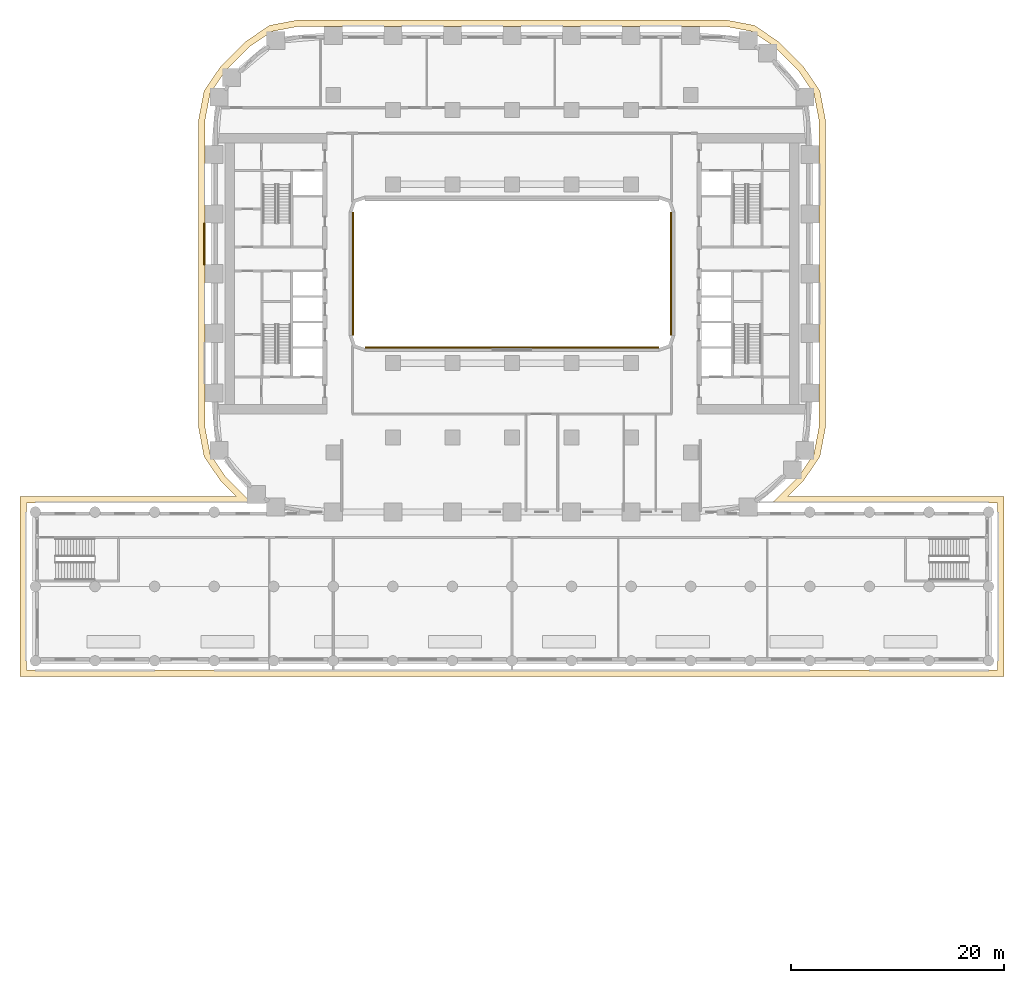
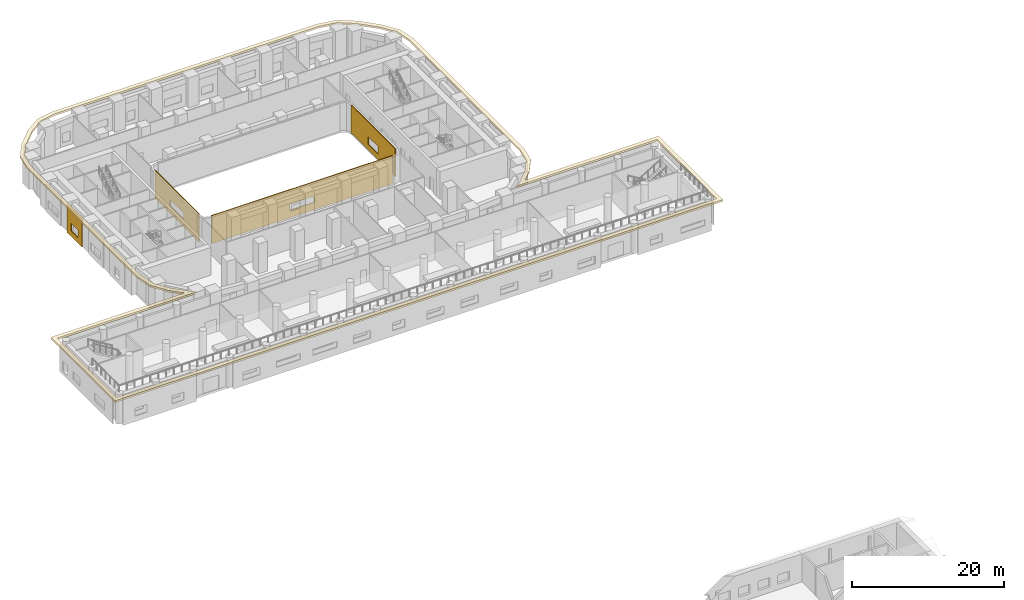
# One storey, part 30 of 35: 5 coverings.
"""IFC4 building model written with IfcOpenShell, lengths in metres."""

import ifcopenshell
import ifcopenshell.guid

model = None  # the IFC model being written
_history = None  # IfcOwnerHistory: only IFC2X3 demands one
_inside = {}  # id of a spatial element -> (the spatial element, [elements in it])
_under = {}  # id of a project, library or spatial element -> (it, [spatial elements below it])
_declared = {}  # id of a project -> (the project, [libraries it declares])
_typed = {}  # id of a type object -> (the type object, [elements of that type])
_made_of = {}  # id of a material, layer set ... -> (it, [elements and type objects made of it])


def new_model(schema):
    """Start an empty IFC model of exactly this schema.

    Asked for "IFC4X3", IfcOpenShell would pick the latest addendum, in which some entities
    have other attributes; the version numbers below select the first issue.
    IFC2X3 requires an IfcOwnerHistory on every rooted entity: one is made here for all.
    """
    global model, _history
    if schema == "IFC4X3":
        model = ifcopenshell.file(schema_version=(4, 3, 0, 0))
    else:
        model = ifcopenshell.file(schema=schema)
    _inside.clear()
    _under.clear()
    _declared.clear()
    _typed.clear()
    _made_of.clear()
    _history = None
    if model.schema == "IFC2X3":
        org = make("IfcOrganization", Name="unknown")
        user = make(
            "IfcPersonAndOrganization",
            ThePerson=make("IfcPerson", FamilyName="unknown"),
            TheOrganization=org,
        )
        app = make(
            "IfcApplication",
            ApplicationDeveloper=org,
            Version="unknown",
            ApplicationFullName="unknown",
            ApplicationIdentifier="unknown",
        )
        _history = make(
            "IfcOwnerHistory",
            OwningUser=user,
            OwningApplication=app,
            ChangeAction="ADDED",
            CreationDate=0,
        )
    return model


def make(cls, **values):
    """One entity of the class cls with the attributes given. An attribute that is None is left unset."""
    return model.create_entity(
        cls, **{name: value for name, value in values.items() if value is not None}
    )


def rooted(cls, **values):
    """An entity with a GlobalId (a new one), such as an element, a storey or a relation."""
    return make(cls, GlobalId=ifcopenshell.guid.new(), OwnerHistory=_history, **values)


def si_unit(unit_type, name, prefix=None):
    """IfcSIUnit, for example si_unit("LENGTHUNIT", "METRE", prefix="MILLI")."""
    return make("IfcSIUnit", UnitType=unit_type, Prefix=prefix, Name=name)


def assignment(units):
    """IfcUnitAssignment: the units of a project."""
    return None if units is None else make("IfcUnitAssignment", Units=units)


def point(xyz):
    """IfcCartesianPoint."""
    return None if xyz is None else make("IfcCartesianPoint", Coordinates=xyz)


def direction(xyz):
    """IfcDirection."""
    return None if xyz is None else make("IfcDirection", DirectionRatios=xyz)


def frame(location, z_axis=None, x_axis=None):
    """IfcAxis2Placement3D, a coordinate frame: its origin and axes. An axis left out is left unset."""
    return make(
        "IfcAxis2Placement3D",
        Location=point(location),
        Axis=direction(z_axis),
        RefDirection=direction(x_axis),
    )


def origin():
    """The frame at (0, 0, 0) with its axes left unset."""
    return frame((0.0, 0.0, 0.0))


def place(relative_to, where):
    """IfcLocalPlacement: puts the frame where relative to a parent placement (None: the world)."""
    return make(
        "IfcLocalPlacement", PlacementRelTo=relative_to, RelativePlacement=where
    )


def context(
    kind, dimensions, precision=None, world=None, true_north=None, identifier=None
):
    """IfcGeometricRepresentationContext, for example the 3D "Model" context."""
    return make(
        "IfcGeometricRepresentationContext",
        ContextIdentifier=identifier,
        ContextType=kind,
        CoordinateSpaceDimension=dimensions,
        Precision=precision,
        WorldCoordinateSystem=world,
        TrueNorth=true_north,
    )


def subcontext(parent, identifier, kind, view, scale=None):
    """IfcGeometricRepresentationSubContext, for example "Body" below "Model"."""
    return make(
        "IfcGeometricRepresentationSubContext",
        ContextIdentifier=identifier,
        ContextType=kind,
        ParentContext=parent,
        TargetScale=scale,
        TargetView=view,
    )


def project(units=None, contexts=None):
    """IfcProject with its units and contexts."""
    return rooted(
        "IfcProject",
        Name="project",
        RepresentationContexts=contexts,
        UnitsInContext=assignment(units),
    )


def spatial(cls, under=None, at=None, **own):
    """A site, building, storey or space (cls), placed at a placement, below another one or the project."""
    s = rooted(cls, ObjectPlacement=at, **own)
    if under is not None:
        _under.setdefault(under.id(), (under, []))[1].append(s)
    return s


def polyline(points):
    """IfcPolyline through the points."""
    return make("IfcPolyline", Points=[point(p) for p in points])


def outline(outer, holes=None, kind="AREA"):
    """IfcArbitraryClosedProfileDef: a profile drawn as a closed curve; with holes, ...WithVoids."""
    if holes is None:
        return make("IfcArbitraryClosedProfileDef", ProfileType=kind, OuterCurve=outer)
    return make(
        "IfcArbitraryProfileDefWithVoids",
        ProfileType=kind,
        OuterCurve=outer,
        InnerCurves=holes,
    )


def extrude(swept, where, along, depth):
    """IfcExtrudedAreaSolid: the profile swept, set in the frame where, extruded along a direction by depth."""
    return make(
        "IfcExtrudedAreaSolid",
        SweptArea=swept,
        Position=where,
        ExtrudedDirection=direction(along),
        Depth=depth,
    )


def shape(context_of_items, identifier, shape_type, items):
    """IfcShapeRepresentation: the items that make up one representation, for example the "Body"."""
    return make(
        "IfcShapeRepresentation",
        ContextOfItems=context_of_items,
        RepresentationIdentifier=identifier,
        RepresentationType=shape_type,
        Items=items,
    )


def material(Name=None, Category=None):
    """IfcMaterial."""
    return make("IfcMaterial", Name=Name, Category=Category)


def layer(
    of_material, thickness, ventilated=None, Name=None, Category=None, Priority=None
):
    """IfcMaterialLayer: one layer of a wall or slab, of a material (None: an air gap)."""
    return make(
        "IfcMaterialLayer",
        Material=of_material,
        LayerThickness=thickness,
        IsVentilated=ventilated,
        Name=Name,
        Category=Category,
        Priority=Priority,
    )


def layer_set(layers, Name=None):
    """IfcMaterialLayerSet."""
    return make("IfcMaterialLayerSet", MaterialLayers=layers, LayerSetName=Name)


def made_of(thing, what):
    """Note that an element or type object is made of a material, layer set ...; save() writes the relation."""
    if what is not None:
        _made_of.setdefault(what.id(), (what, []))[1].append(thing)
    return thing


def type_object(cls, material=None, **own):
    """A type object (cls), such as IfcWallType, which elements share."""
    return made_of(rooted(cls, **own), material)


def element(
    cls,
    number,
    at=None,
    inside=None,
    cuts=None,
    type_object=None,
    material=None,
    context=None,
    identifier="Body",
    shape_type=None,
    held_by="IfcProductDefinitionShape",
    body=None,
    shapes=None,
    **own,
):
    """One element of the class cls, such as IfcWall. Its Tag is "e" and its number.

    at: its placement. inside: the storey or other place that contains it. cuts: it is an
    opening in that element (IfcRelVoidsElement). A single representation is given by context,
    identifier, shape_type and body (its items); several are given by shapes. held_by: the class
    of the entity that holds the representations. save() writes the other relations.
    """
    e = rooted(cls, Tag="e%d" % number, ObjectPlacement=at, **own)
    if body is not None:
        shapes = [shape(context, identifier, shape_type, body)]
    if shapes is not None:
        e.Representation = make(held_by, Representations=shapes)
    if inside is not None:
        _inside.setdefault(inside.id(), (inside, []))[1].append(e)
    if cuts is not None:
        rooted(
            "IfcRelVoidsElement", RelatingBuildingElement=cuts, RelatedOpeningElement=e
        )
    if type_object is not None:
        _typed.setdefault(type_object.id(), (type_object, []))[1].append(e)
    return made_of(e, material)


def aggregate(whole, parts):
    """IfcRelAggregates: a whole, such as a stair, and the parts it consists of."""
    return rooted("IfcRelAggregates", RelatingObject=whole, RelatedObjects=parts)


def save(model, path):
    """Write the relations noted so far, then the file.

    IfcRelAggregates (storeys below a building ...), IfcRelContainedInSpatialStructure (elements
    in a storey), IfcRelDefinesByType, IfcRelAssociatesMaterial and IfcRelDeclares: one each for
    every whole, place, type object, material and project.
    """
    for whole, parts in _under.values():
        aggregate(whole, parts)
    for where, things in _inside.values():
        rooted(
            "IfcRelContainedInSpatialStructure",
            RelatedElements=things,
            RelatingStructure=where,
        )
    for kind, things in _typed.values():
        rooted("IfcRelDefinesByType", RelatedObjects=things, RelatingType=kind)
    for what, things in _made_of.values():
        rooted("IfcRelAssociatesMaterial", RelatedObjects=things, RelatingMaterial=what)
    for by, libraries in _declared.values():
        rooted("IfcRelDeclares", RelatingContext=by, RelatedDefinitions=libraries)
    model.write(path)


model = new_model("IFC4")

# Units and contexts
model_context = context("Model", 3, precision=1e-05, world=origin(), true_north=direction((0.0, 1.0)))
body_context = subcontext(model_context, "Body", "Model", "MODEL_VIEW")
ifc_project = project(units=[si_unit("LENGTHUNIT", "METRE"), si_unit("AREAUNIT", "SQUARE_METRE"), si_unit("VOLUMEUNIT", "CUBIC_METRE"), si_unit("PLANEANGLEUNIT", "RADIAN"), si_unit("MASSUNIT", "GRAM", prefix="KILO")], contexts=[model_context])

# Site, building, storey
site_placement = place(None, origin())
site = spatial("IfcSite", under=ifc_project, at=site_placement, CompositionType="ELEMENT")
building_placement = place(site_placement, origin())
building = spatial("IfcBuilding", under=site, at=building_placement, Name="Kiln Ring Residences", CompositionType="ELEMENT")
storey_placement = place(building_placement, frame((0.0, 0.0, 20.89990234375)))
storey = spatial("IfcBuildingStorey", under=building, at=storey_placement, Name="L04", CompositionType="ELEMENT", Elevation=20.89990234375)

# Coverings
ifc_material_1 = material(Name="Brick masonry, dark clay brick", Category="masonry")
ifc_layer_1 = layer(ifc_material_1, 0.1201171875)
ifc_layer_set_1 = layer_set([ifc_layer_1], Name="RAINSCREEN PANEL 120")
covering_type_1 = type_object("IfcCoveringType", Name="RAINSCREEN PANEL 120", PredefinedType="CLADDING", material=ifc_layer_set_1)
covering_1_placement = place(storey_placement, frame((-28.909912109375, 4.75, 0.0), z_axis=(0.0, 0.0, 1.0), x_axis=(0.0, -1.0, 0.0)))
element("IfcCovering", 1, at=covering_1_placement, inside=storey, type_object=covering_type_1, Name="RAINSCREEN L04", PredefinedType="CLADDING", context=body_context, shape_type="SweptSolid", body=[
    extrude(outline(polyline([(0.0, 0.0), (3.89990234375, 0.0), (3.89990234375, 4.5), (0.0, 4.5), (0.0, 0.0)]), holes=[polyline([(1.050048828125, 2.150146484375), (1.050048828125, 0.900146484375), (2.85009765625, 0.900146484375), (2.85009765625, 2.150146484375), (1.050048828125, 2.150146484375)])]), frame((0.0, 0.06005859375, 0.0), z_axis=(0.0, -1.0, 0.0), x_axis=(1.0, 0.0, 0.0)), (0.0, 0.0, 1.0), 0.1201171875),
])
covering_2_placement = place(storey_placement, frame((-14.93994140625, -5.800048828125, 0.0), z_axis=(0.0, 0.0, 1.0), x_axis=(0.0, 1.0, 0.0)))
element("IfcCovering", 2, at=covering_2_placement, inside=storey, type_object=covering_type_1, Name="RAINSCREEN L04", PredefinedType="CLADDING", context=body_context, shape_type="SweptSolid", body=[
    extrude(outline(polyline([(0.0, 0.0), (11.60009765625, 0.0), (11.60009765625, 4.5), (0.0, 4.5), (0.0, 0.0)]), holes=[polyline([(4.0, 2.150146484375), (4.0, 1.2001953125), (7.60009765625, 1.2001953125), (7.60009765625, 2.150146484375), (4.0, 2.150146484375)])]), frame((0.0, 0.06005859375, 0.0), z_axis=(0.0, -1.0, 0.0), x_axis=(1.0, 0.0, 0.0)), (0.0, 0.0, 1.0), 0.1201171875),
])
covering_3_placement = place(storey_placement, frame((14.93994140625, 5.800048828125, 0.0), z_axis=(0.0, 0.0, 1.0), x_axis=(0.0, -1.0, 0.0)))
element("IfcCovering", 3, at=covering_3_placement, inside=storey, type_object=covering_type_1, Name="RAINSCREEN L04", PredefinedType="CLADDING", context=body_context, shape_type="SweptSolid", body=[
    extrude(outline(polyline([(0.0, 0.0), (11.60009765625, 0.0), (11.60009765625, 4.5), (0.0, 4.5), (0.0, 0.0)]), holes=[polyline([(4.5, 2.150146484375), (4.5, 0.900146484375), (7.10009765625, 0.900146484375), (7.10009765625, 2.150146484375), (4.5, 2.150146484375)])]), frame((0.0, 0.06005859375, 0.0), z_axis=(0.0, -1.0, 0.0), x_axis=(1.0, 0.0, 0.0)), (0.0, 0.0, 1.0), 0.1201171875),
])
covering_4_placement = place(storey_placement, frame((13.800048828125, -6.93994140625, 0.0), z_axis=(0.0, 0.0, 1.0), x_axis=(-1.0, 0.0, 0.0)))
element("IfcCovering", 4, at=covering_4_placement, inside=storey, type_object=covering_type_1, Name="RAINSCREEN L04", PredefinedType="CLADDING", context=body_context, shape_type="SweptSolid", body=[
    extrude(outline(polyline([(0.0, 0.0), (27.60009765625, 0.0), (27.60009765625, 4.5), (0.0, 4.5), (0.0, 0.0)]), holes=[polyline([(11.97998046875, 2.170166015625), (11.97998046875, 1.18017578125), (15.6201171875, 1.18017578125), (15.6201171875, 2.170166015625), (11.97998046875, 2.170166015625)])]), frame((0.0, 0.06005859375, 0.0), z_axis=(0.0, -1.0, 0.0), x_axis=(1.0, 0.0, 0.0)), (0.0, 0.0, 1.0), 0.1201171875),
])
ifc_material_2 = material(Name="Black powder-coated steel", Category="steel")
ifc_layer_2 = layer(ifc_material_2, 0.300048828125)
ifc_layer_set_2 = layer_set([ifc_layer_2], Name="SUNSHADE FIN 600")
covering_type_2 = type_object("IfcCoveringType", Name="SUNSHADE FIN 600", PredefinedType="CLADDING", material=ifc_layer_set_2)
covering_5_placement = place(storey_placement, frame((0.0, 0.0, 4.5)))
element("IfcCovering", 5, at=covering_5_placement, inside=storey, type_object=covering_type_2, Name="SUNSHADE FIN L04", PredefinedType="CLADDING", context=body_context, shape_type="SweptSolid", body=[
    extrude(outline(polyline([(-27.42529296875, -19.42529296875), (-25.900634765625, -20.949951171875), (-46.25, -20.949951171875), (-46.25, -37.85009765625), (46.25, -37.85009765625), (46.25, -20.949951171875), (25.900634765625, -20.949951171875), (27.42529296875, -19.42529296875), (28.94384765625, -17.19091796875), (29.449951171875, -14.537109375), (29.449951171875, 14.537109375), (28.94384765625, 17.19091796875), (27.42529296875, 19.42529296875), (25.025390625, 21.8251953125), (22.791015625, 23.34375), (20.13720703125, 23.85009765625), (-20.13720703125, 23.85009765625), (-22.791015625, 23.34375), (-25.025390625, 21.8251953125), (-27.42529296875, 19.42529296875), (-28.94384765625, 17.19091796875), (-29.449951171875, 14.537109375), (-29.449951171875, -14.537109375), (-28.94384765625, -17.19091796875), (-27.42529296875, -19.42529296875)]), holes=[polyline([(-45.64990234375, -21.550048828125), (-24.36279296875, -21.550048828125), (-24.641357421875, -21.36083984375), (-26.960693359375, -19.041259765625), (-28.377685546875, -16.956298828125), (-28.85009765625, -14.480224609375), (-28.85009765625, 14.480224609375), (-28.377685546875, 16.956298828125), (-26.960693359375, 19.041259765625), (-24.641357421875, 21.36083984375), (-22.556396484375, 22.777587890625), (-20.080322265625, 23.25), (20.080322265625, 23.25), (22.556396484375, 22.777587890625), (24.641357421875, 21.36083984375), (26.960693359375, 19.041259765625), (28.377685546875, 16.956298828125), (28.85009765625, 14.480224609375), (28.85009765625, -14.480224609375), (28.377685546875, -16.956298828125), (26.960693359375, -19.041259765625), (24.641357421875, -21.36083984375), (24.36279296875, -21.550048828125), (45.64990234375, -21.550048828125), (45.64990234375, -37.25), (-45.64990234375, -37.25), (-45.64990234375, -21.550048828125)])]), origin(), (0.0, 0.0, 1.0), 0.300048828125),
])

save(model, "model.ifc")
